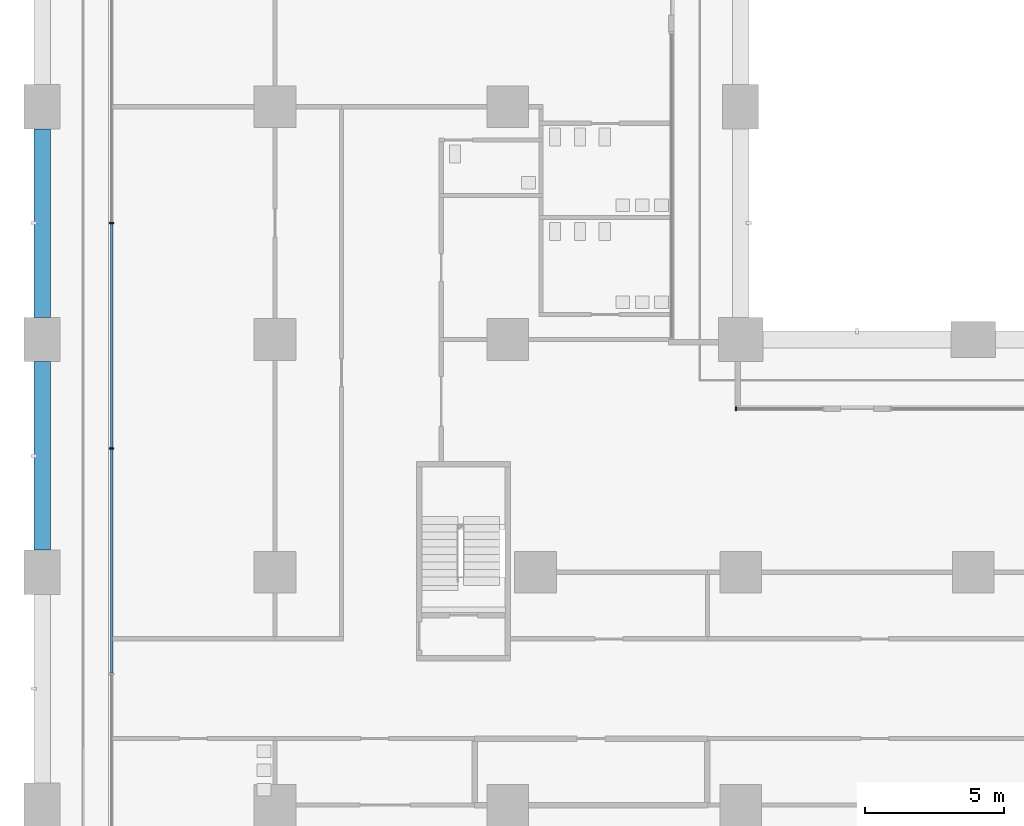
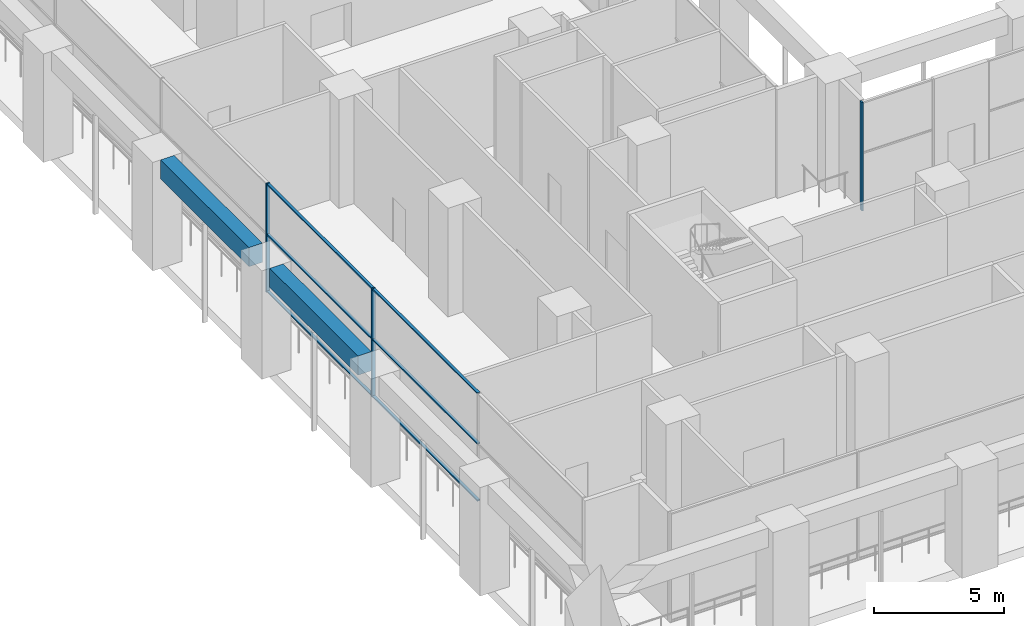
# One storey, part 4 of 33: 9 members, 2 beams, 2 elements without a shape of their own.
"""IFC4 building model written with IfcOpenShell, lengths in metres."""

from ifc_helpers import new_model, si_unit, direction, frame, origin, origin_2d, place, context, subcontext, project, spatial, rectangle, extrude, material, material_profile, profile_set, type_object, element, aggregate, save


model = new_model("IFC4")

# Units and contexts
model_context = context("Model", 3, precision=1e-05, world=origin(), true_north=direction((0.0, 1.0)))
body_context = subcontext(model_context, "Body", "Model", "MODEL_VIEW")
ifc_project = project(units=[si_unit("LENGTHUNIT", "METRE"), si_unit("AREAUNIT", "SQUARE_METRE"), si_unit("VOLUMEUNIT", "CUBIC_METRE"), si_unit("PLANEANGLEUNIT", "RADIAN"), si_unit("MASSUNIT", "GRAM", prefix="KILO")], contexts=[model_context])

# Site, building, storey
site_placement = place(None, origin())
site = spatial("IfcSite", under=ifc_project, at=site_placement, CompositionType="ELEMENT")
building_placement = place(site_placement, origin())
building = spatial("IfcBuilding", under=site, at=building_placement, Name="Vermilion Gate Residences", CompositionType="ELEMENT")
storey_placement = place(building_placement, frame((0.0, 0.0, 14.39990234375)))
storey = spatial("IfcBuildingStorey", under=building, at=storey_placement, Name="L02", CompositionType="ELEMENT", Elevation=14.39990234375)

# Curtain wall, members
ifc_material_1 = material(Name="Aluminium and glass", Category="aluminium")
curtain_wall_type = type_object("IfcCurtainWallType", Name="AMENITY GLAZING CURTAIN WALL", PredefinedType="NOTDEFINED", material=ifc_material_1)
curtain_wall_1_placement = place(storey_placement, origin())
curtain_wall_1 = element("IfcCurtainWall", 1, at=curtain_wall_1_placement, inside=storey, type_object=curtain_wall_type, Name="Amenity Glazing 30", PredefinedType="NOTDEFINED")
ifc_material_2 = material(Name="Aluminium", Category="aluminium")
ifc_material_profile_1 = material_profile(ifc_material_2, rectangle(XDim=0.159912109375, YDim=0.06005859375, at=origin_2d()), Name="MULLION 60 X 160")
ifc_profile_set_1 = profile_set([ifc_material_profile_1], Name="Aluminium")
member_type_1 = type_object("IfcMemberType", Name="AMENITY GLAZING MULLION 60 X 160", PredefinedType="MULLION", material=ifc_profile_set_1)
member_1_placement = place(storey_placement, frame((2.5, 29.39990234375, 0.0), z_axis=(0.0, 0.0, 1.0), x_axis=(1.0, 0.0, 0.0)))
member_1 = element("IfcMember", 2, at=member_1_placement, type_object=member_type_1, Name="ECW2 mullion 4", PredefinedType="MULLION", context=body_context, shape_type="SweptSolid", body=[
    extrude(rectangle(XDim=0.159912109375, YDim=0.06005859375, at=origin_2d()), origin(), (0.0, 0.0, 1.0), 5.10009765625),
])
member_2_placement = place(storey_placement, frame((2.5, 21.2666015625, 0.0), z_axis=(0.0, 0.0, 1.0), x_axis=(1.0, 0.0, 0.0)))
member_2 = element("IfcMember", 3, at=member_2_placement, type_object=member_type_1, Name="ECW2 mullion 5", PredefinedType="MULLION", context=body_context, shape_type="SweptSolid", body=[
    extrude(rectangle(XDim=0.159912109375, YDim=0.06005859375, at=origin_2d()), origin(), (0.0, 0.0, 1.0), 5.10009765625),
])

# Curtain wall, member
curtain_wall_2_placement = place(storey_placement, origin())
curtain_wall_2 = element("IfcCurtainWall", 4, at=curtain_wall_2_placement, inside=storey, type_object=curtain_wall_type, Name="Amenity Glazing 132", PredefinedType="NOTDEFINED")
member_3_placement = place(storey_placement, frame((25.030029296875, 22.699951171875, 0.0), z_axis=(0.0, 0.0, 1.0), x_axis=(0.0, -1.0, 0.0)))
member_3 = element("IfcMember", 5, at=member_3_placement, type_object=member_type_1, Name="ECW2 mullion 2", PredefinedType="MULLION", context=body_context, shape_type="SweptSolid", body=[
    extrude(rectangle(XDim=0.159912109375, YDim=0.06005859375, at=origin_2d()), origin(), (0.0, 0.0, 1.0), 5.10009765625),
])
aggregate(curtain_wall_2, [member_3])

# Member
ifc_material_3 = material(Name="Aluminium", Category="aluminium")
ifc_material_profile_2 = material_profile(ifc_material_3, rectangle(XDim=0.1201171875, YDim=0.06005859375, at=origin_2d()), Name="TRANSOM 60 X 120")
ifc_profile_set_2 = profile_set([ifc_material_profile_2], Name="Aluminium")
member_type_2 = type_object("IfcMemberType", Name="AMENITY GLAZING TRANSOM 60 X 120", PredefinedType="MULLION", material=ifc_profile_set_2)
member_4_placement = place(storey_placement, frame((2.5, 29.3701171875, 0.030029296875), z_axis=(0.0, -1.0, 0.0), x_axis=(1.0, 0.0, 0.0)))
member_4 = element("IfcMember", 6, at=member_4_placement, type_object=member_type_2, Name="ECW2 transom 4.1", PredefinedType="MULLION", context=body_context, shape_type="SweptSolid", body=[
    extrude(rectangle(XDim=0.1201171875, YDim=0.06005859375, at=origin_2d()), origin(), (0.0, 0.0, 1.0), 8.073486328125),
])

member_5_placement = place(storey_placement, frame((2.5, 29.3701171875, 2.7001953125), z_axis=(0.0, -1.0, 0.0), x_axis=(1.0, 0.0, 0.0)))
member_5 = element("IfcMember", 7, at=member_5_placement, type_object=member_type_2, Name="ECW2 transom 4.2", PredefinedType="MULLION", context=body_context, shape_type="SweptSolid", body=[
    extrude(rectangle(XDim=0.1201171875, YDim=0.06005859375, at=origin_2d()), origin(), (0.0, 0.0, 1.0), 8.073486328125),
])

member_6_placement = place(storey_placement, frame((2.5, 29.3701171875, 5.070068359375), z_axis=(0.0, -1.0, 0.0), x_axis=(1.0, 0.0, 0.0)))
member_6 = element("IfcMember", 8, at=member_6_placement, type_object=member_type_2, Name="ECW2 transom 4.3", PredefinedType="MULLION", context=body_context, shape_type="SweptSolid", body=[
    extrude(rectangle(XDim=0.1201171875, YDim=0.06005859375, at=origin_2d()), origin(), (0.0, 0.0, 1.0), 8.073486328125),
])

member_7_placement = place(storey_placement, frame((2.5, 21.236572265625, 0.030029296875), z_axis=(0.0, -1.0, 0.0), x_axis=(1.0, 0.0, 0.0)))
member_7 = element("IfcMember", 9, at=member_7_placement, type_object=member_type_2, Name="ECW2 transom 5.1", PredefinedType="MULLION", context=body_context, shape_type="SweptSolid", body=[
    extrude(rectangle(XDim=0.1201171875, YDim=0.06005859375, at=origin_2d()), origin(), (0.0, 0.0, 1.0), 8.0732421875),
])

member_8_placement = place(storey_placement, frame((2.5, 21.236572265625, 2.7001953125), z_axis=(0.0, -1.0, 0.0), x_axis=(1.0, 0.0, 0.0)))
member_8 = element("IfcMember", 10, at=member_8_placement, type_object=member_type_2, Name="ECW2 transom 5.2", PredefinedType="MULLION", context=body_context, shape_type="SweptSolid", body=[
    extrude(rectangle(XDim=0.1201171875, YDim=0.06005859375, at=origin_2d()), origin(), (0.0, 0.0, 1.0), 8.0732421875),
])

member_9_placement = place(storey_placement, frame((2.5, 21.236572265625, 5.070068359375), z_axis=(0.0, -1.0, 0.0), x_axis=(1.0, 0.0, 0.0)))
member_9 = element("IfcMember", 11, at=member_9_placement, type_object=member_type_2, Name="ECW2 transom 5.3", PredefinedType="MULLION", context=body_context, shape_type="SweptSolid", body=[
    extrude(rectangle(XDim=0.1201171875, YDim=0.06005859375, at=origin_2d()), origin(), (0.0, 0.0, 1.0), 8.0732421875),
])

aggregate(curtain_wall_1, [member_1, member_2, member_4, member_5, member_6, member_7, member_8, member_9])

# Beams
ifc_material_4 = material(Name="Concrete C60 red-oxide pigmented", Category="concrete")
ifc_material_profile_3 = material_profile(ifc_material_4, rectangle(XDim=0.60009765625, YDim=0.89990234375, at=origin_2d()), Name="RC-600x900")
ifc_profile_set_3 = profile_set([ifc_material_profile_3], Name="Concrete C60 red-oxide pigmented")
beam_type = type_object("IfcBeamType", Name="RC EDGE BEAM 600 X 900 C60", PredefinedType="BEAM", material=ifc_profile_set_3)
beam_1_placement = place(storey_placement, frame((0.0, 17.60009765625, 4.650146484375), z_axis=(0.0, 1.0, 0.0), x_axis=(-1.0, 0.0, 0.0)))
element("IfcBeam", 12, at=beam_1_placement, inside=storey, type_object=beam_type, Name="Edge beam L02 4", PredefinedType="BEAM", context=body_context, shape_type="SweptSolid", body=[
    extrude(rectangle(XDim=0.60009765625, YDim=0.89990234375, at=origin_2d()), origin(), (0.0, 0.0, 1.0), 6.7998046875),
])
beam_2_placement = place(storey_placement, frame((0.0, 26.0, 4.650146484375), z_axis=(0.0, 1.0, 0.0), x_axis=(-1.0, 0.0, 0.0)))
element("IfcBeam", 13, at=beam_2_placement, inside=storey, type_object=beam_type, Name="Edge beam L02 5", PredefinedType="BEAM", context=body_context, shape_type="SweptSolid", body=[
    extrude(rectangle(XDim=0.60009765625, YDim=0.89990234375, at=origin_2d()), origin(), (0.0, 0.0, 1.0), 6.800048828125),
])

save(model, "model.ifc")
